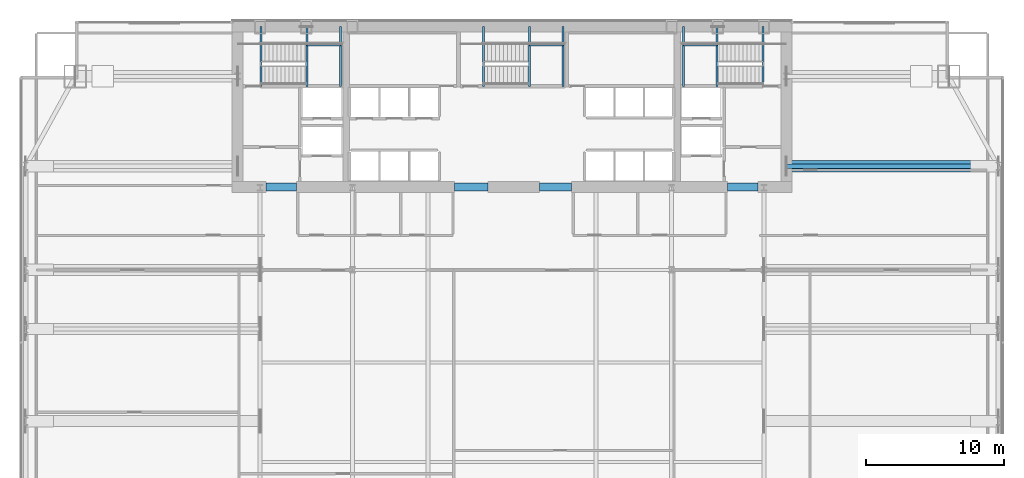
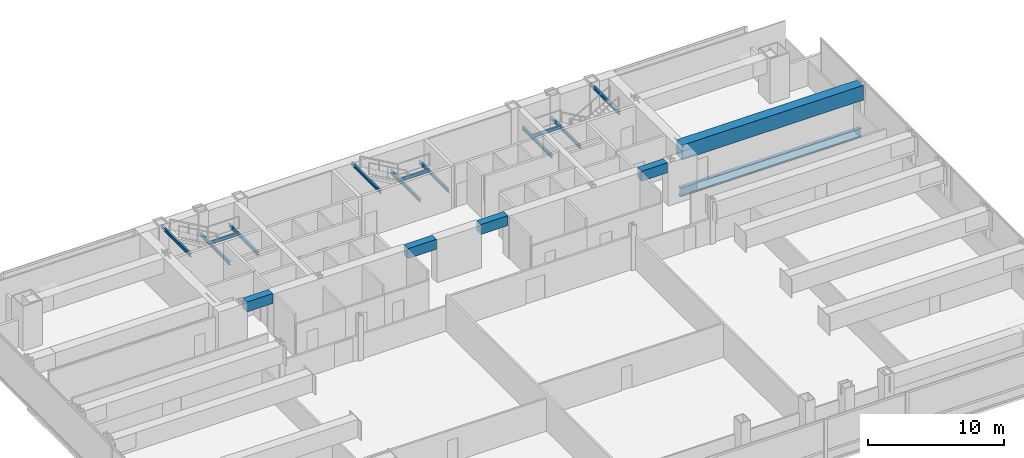
# One storey, part 16 of 32: 18 beams.
"""IFC4 building model written with IfcOpenShell, lengths in metres."""

from ifc_helpers import new_model, si_unit, direction, frame, origin, origin_2d, place, context, subcontext, project, spatial, rectangle, hollow_rectangle, i_section, extrude, material, material_profile, profile_set, type_object, element, save


model = new_model("IFC4")

# Units and contexts
model_context = context("Model", 3, precision=1e-05, world=origin(), true_north=direction((0.0, 1.0)))
body_context = subcontext(model_context, "Body", "Model", "MODEL_VIEW")
ifc_project = project(units=[si_unit("LENGTHUNIT", "METRE"), si_unit("AREAUNIT", "SQUARE_METRE"), si_unit("VOLUMEUNIT", "CUBIC_METRE"), si_unit("PLANEANGLEUNIT", "RADIAN"), si_unit("MASSUNIT", "GRAM", prefix="KILO")], contexts=[model_context])

# Site, building, storey
site_placement = place(None, origin())
site = spatial("IfcSite", under=ifc_project, at=site_placement, CompositionType="ELEMENT")
building_placement = place(site_placement, origin())
building = spatial("IfcBuilding", under=site, at=building_placement, Name="Khoronbel Lancet Exchange", CompositionType="ELEMENT")
storey_placement = place(building_placement, frame((0.0, 0.0, 77.800048828125)))
storey = spatial("IfcBuildingStorey", under=building, at=storey_placement, Name="L18", CompositionType="ELEMENT", Elevation=77.800048828125)

# Beams
ifc_material_1 = material(Name="Steel S355", Category="steel")
ifc_material_profile_1 = material_profile(ifc_material_1, i_section(OverallWidth=0.300048828125, OverallDepth=0.800048828125, WebThickness=0.017578125, FlangeThickness=0.032958984375, at=origin_2d()), Name="HEB 800")
ifc_profile_set_1 = profile_set([ifc_material_profile_1], Name="Steel S355")
beam_type_1 = type_object("IfcBeamType", Name="BM-BG2", PredefinedType="BEAM", material=ifc_profile_set_1)
beam_1_placement = place(storey_placement, frame((56.300048828125, 43.199951171875, -0.580078125), z_axis=(1.0, 0.0, 0.0), x_axis=(0.0, 1.0, 0.0)))
element("IfcBeam", 1, at=beam_1_placement, inside=storey, type_object=beam_type_1, Name="Level L18 east lens tie girder LG3E", PredefinedType="BEAM", context=body_context, shape_type="SweptSolid", body=[
    extrude(i_section(OverallWidth=0.300048828125, OverallDepth=0.800048828125, WebThickness=0.017578125, FlangeThickness=0.032958984375, at=origin_2d()), origin(), (0.0, 0.0, 1.0), 15.329833984375),
])
ifc_material_profile_2 = material_profile(ifc_material_1, i_section(OverallWidth=0.14990234375, OverallDepth=0.300048828125, WebThickness=0.007080078125, FlangeThickness=0.0107421875, at=origin_2d()), Name="IPE 300")
ifc_profile_set_2 = profile_set([ifc_material_profile_2], Name="Steel S355")
beam_type_2 = type_object("IfcBeamType", Name="BM-BJ8", PredefinedType="JOIST", material=ifc_profile_set_2)
for number, where, z_axis, x_axis, name in (
    (2, (21.610107421875, 48.97998046875, 1.64990234375), (0.0, 1.0, 0.0), (-1.0, 0.0, 0.0), "Level L18 stair ST1 landing bearer beam 1"),
    (3, (24.030029296875, 48.97998046875, 1.64990234375), (0.0, 1.0, 0.0), (-1.0, 0.0, 0.0), "Level L18 stair ST1 rear landing bearer beam 1"),
):
    element("IfcBeam", number, at=place(storey_placement, frame(where, z_axis=z_axis, x_axis=x_axis)), inside=storey, type_object=beam_type_2, Name=name, PredefinedType="JOIST", context=body_context, shape_type="SweptSolid", body=[
        extrude(i_section(OverallWidth=0.14990234375, OverallDepth=0.300048828125, WebThickness=0.007080078125, FlangeThickness=0.0107421875, at=origin_2d()), origin(), (0.0, 0.0, 1.0), 4.320068359375),
    ])
beam_2_placement = place(storey_placement, frame((21.610107421875, 51.97998046875, 1.64990234375), z_axis=(1.0, 0.0, 0.0), x_axis=(0.0, 1.0, 0.0)))
element("IfcBeam", 4, at=beam_2_placement, inside=storey, type_object=beam_type_2, Name="Level L18 stair ST1 landing cross trimmer beam 1", PredefinedType="JOIST", context=body_context, shape_type="SweptSolid", body=[
    extrude(i_section(OverallWidth=0.14990234375, OverallDepth=0.300048828125, WebThickness=0.007080078125, FlangeThickness=0.0107421875, at=origin_2d()), origin(), (0.0, 0.0, 1.0), 2.419921875),
])
for number, where, z_axis, x_axis, name in (
    (5, (18.300048828125, 48.97998046875, 3.5400390625), (0.0, 1.0, 0.0), (-1.0, 0.0, 0.0), "Level L18 stair ST1 upper-flight arrival trimmer beam"),
    (6, (51.2900390625, 48.97998046875, 1.64990234375), (0.0, 1.0, 0.0), (-1.0, 0.0, 0.0), "Level L18 stair ST2 landing bearer beam 1"),
    (7, (48.8701171875, 48.97998046875, 1.64990234375), (0.0, 1.0, 0.0), (-1.0, 0.0, 0.0), "Level L18 stair ST2 rear landing bearer beam 1"),
):
    element("IfcBeam", number, at=place(storey_placement, frame(where, z_axis=z_axis, x_axis=x_axis)), inside=storey, type_object=beam_type_2, Name=name, PredefinedType="JOIST", context=body_context, shape_type="SweptSolid", body=[
        extrude(i_section(OverallWidth=0.14990234375, OverallDepth=0.300048828125, WebThickness=0.007080078125, FlangeThickness=0.0107421875, at=origin_2d()), origin(), (0.0, 0.0, 1.0), 4.320068359375),
    ])
beam_3_placement = place(storey_placement, frame((48.8701171875, 51.97998046875, 1.64990234375), z_axis=(1.0, 0.0, 0.0), x_axis=(0.0, 1.0, 0.0)))
element("IfcBeam", 8, at=beam_3_placement, inside=storey, type_object=beam_type_2, Name="Level L18 stair ST2 landing cross trimmer beam 1", PredefinedType="JOIST", context=body_context, shape_type="SweptSolid", body=[
    extrude(i_section(OverallWidth=0.14990234375, OverallDepth=0.300048828125, WebThickness=0.007080078125, FlangeThickness=0.0107421875, at=origin_2d()), origin(), (0.0, 0.0, 1.0), 2.419921875),
])
for number, where, z_axis, x_axis, name in (
    (9, (54.60009765625, 48.97998046875, 3.5400390625), (0.0, 1.0, 0.0), (-1.0, 0.0, 0.0), "Level L18 stair ST2 upper-flight arrival trimmer beam"),
    (10, (37.7099609375, 48.97998046875, 1.64990234375), (0.0, 1.0, 0.0), (-1.0, 0.0, 0.0), "Level L18 stair ST3 landing bearer beam 1"),
    (11, (40.1298828125, 48.97998046875, 1.64990234375), (0.0, 1.0, 0.0), (-1.0, 0.0, 0.0), "Level L18 stair ST3 rear landing bearer beam 1"),
):
    element("IfcBeam", number, at=place(storey_placement, frame(where, z_axis=z_axis, x_axis=x_axis)), inside=storey, type_object=beam_type_2, Name=name, PredefinedType="JOIST", context=body_context, shape_type="SweptSolid", body=[
        extrude(i_section(OverallWidth=0.14990234375, OverallDepth=0.300048828125, WebThickness=0.007080078125, FlangeThickness=0.0107421875, at=origin_2d()), origin(), (0.0, 0.0, 1.0), 4.320068359375),
    ])
beam_4_placement = place(storey_placement, frame((37.7099609375, 51.97998046875, 1.64990234375), z_axis=(1.0, 0.0, 0.0), x_axis=(0.0, 1.0, 0.0)))
element("IfcBeam", 12, at=beam_4_placement, inside=storey, type_object=beam_type_2, Name="Level L18 stair ST3 landing cross trimmer beam 1", PredefinedType="JOIST", context=body_context, shape_type="SweptSolid", body=[
    extrude(i_section(OverallWidth=0.14990234375, OverallDepth=0.300048828125, WebThickness=0.007080078125, FlangeThickness=0.0107421875, at=origin_2d()), origin(), (0.0, 0.0, 1.0), 2.419921875),
])
beam_5_placement = place(storey_placement, frame((34.39990234375, 48.97998046875, 3.5400390625), z_axis=(0.0, 1.0, 0.0), x_axis=(-1.0, 0.0, 0.0)))
element("IfcBeam", 13, at=beam_5_placement, inside=storey, type_object=beam_type_2, Name="Level L18 stair ST3 upper-flight arrival trimmer beam", PredefinedType="JOIST", context=body_context, shape_type="SweptSolid", body=[
    extrude(i_section(OverallWidth=0.14990234375, OverallDepth=0.300048828125, WebThickness=0.007080078125, FlangeThickness=0.0107421875, at=origin_2d()), origin(), (0.0, 0.0, 1.0), 4.320068359375),
])
ifc_material_2 = material(Name="Concrete C80/95", Category="concrete")
ifc_material_profile_3 = material_profile(ifc_material_2, rectangle(XDim=0.60009765625, YDim=0.89990234375, at=origin_2d()), Name="RC 600x900")
ifc_profile_set_3 = profile_set([ifc_material_profile_3], Name="Concrete C80/95")
beam_type_3 = type_object("IfcBeamType", Name="BM-BL1", PredefinedType="LINTEL", material=ifc_profile_set_3)
beam_6_placement = place(storey_placement, frame((18.64990234375, 41.699951171875, 3.369873046875), z_axis=(1.0, 0.0, 0.0), x_axis=(0.0, 1.0, 0.0)))
element("IfcBeam", 14, at=beam_6_placement, inside=storey, type_object=beam_type_3, Name="Level L18 rear core coupling lintel L1", PredefinedType="LINTEL", context=body_context, shape_type="SweptSolid", body=[
    extrude(rectangle(XDim=0.60009765625, YDim=0.89990234375, at=origin_2d()), origin(), (0.0, 0.0, 1.0), 2.2001953125),
])
beam_7_placement = place(storey_placement, frame((32.300048828125, 41.699951171875, 3.369873046875), z_axis=(1.0, 0.0, 0.0), x_axis=(0.0, 1.0, 0.0)))
element("IfcBeam", 15, at=beam_7_placement, inside=storey, type_object=beam_type_3, Name="Level L18 rear core coupling lintel L2", PredefinedType="LINTEL", context=body_context, shape_type="SweptSolid", body=[
    extrude(rectangle(XDim=0.60009765625, YDim=0.89990234375, at=origin_2d()), origin(), (0.0, 0.0, 1.0), 2.39990234375),
])
beam_8_placement = place(storey_placement, frame((38.449951171875, 41.699951171875, 3.369873046875), z_axis=(1.0, 0.0, 0.0), x_axis=(0.0, 1.0, 0.0)))
element("IfcBeam", 16, at=beam_8_placement, inside=storey, type_object=beam_type_3, Name="Level L18 rear core coupling lintel L3", PredefinedType="LINTEL", context=body_context, shape_type="SweptSolid", body=[
    extrude(rectangle(XDim=0.60009765625, YDim=0.89990234375, at=origin_2d()), origin(), (0.0, 0.0, 1.0), 2.300048828125),
])
beam_9_placement = place(storey_placement, frame((52.050048828125, 41.699951171875, 3.369873046875), z_axis=(1.0, 0.0, 0.0), x_axis=(0.0, 1.0, 0.0)))
element("IfcBeam", 17, at=beam_9_placement, inside=storey, type_object=beam_type_3, Name="Level L18 rear core coupling lintel L4", PredefinedType="LINTEL", context=body_context, shape_type="SweptSolid", body=[
    extrude(rectangle(XDim=0.60009765625, YDim=0.89990234375, at=origin_2d()), origin(), (0.0, 0.0, 1.0), 2.199951171875),
])
ifc_material_3 = material(Name="Steel S460", Category="steel")
ifc_material_profile_4 = material_profile(ifc_material_3, hollow_rectangle(XDim=0.820068359375, YDim=1.320068359375, WallThickness=0.070068359375, at=origin_2d()), Name="BOX 820x1320x70")
ifc_profile_set_4 = profile_set([ifc_material_profile_4], Name="Steel S460")
beam_type_4 = type_object("IfcBeamType", Name="BM-TG4", PredefinedType="USERDEFINED", material=ifc_profile_set_4)
beam_10_placement = place(storey_placement, frame((56.300048828125, 43.199951171875, 3.159912109375), z_axis=(1.0, 0.0, 0.0), x_axis=(0.0, 1.0, 0.0)))
element("IfcBeam", 18, at=beam_10_placement, inside=storey, type_object=beam_type_4, Name="Lens setback S460 transfer girder L18-E5", ObjectType="TRANSFER GIRDER", PredefinedType="USERDEFINED", context=body_context, shape_type="SweptSolid", body=[
    extrude(hollow_rectangle(XDim=0.820068359375, YDim=1.320068359375, WallThickness=0.070068359375, at=origin_2d()), origin(), (0.0, 0.0, 1.0), 15.329833984375),
])

save(model, "model.ifc")
